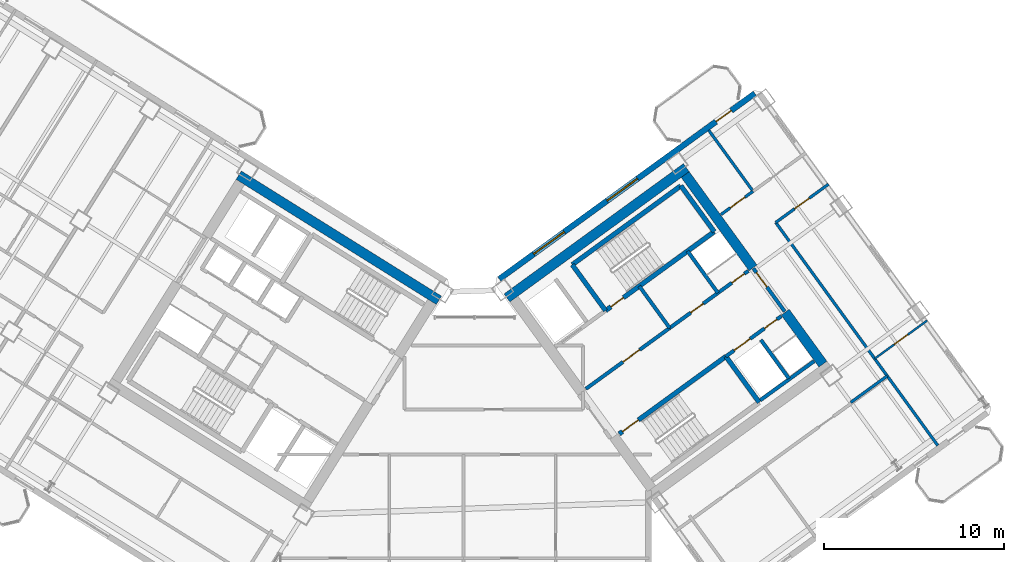
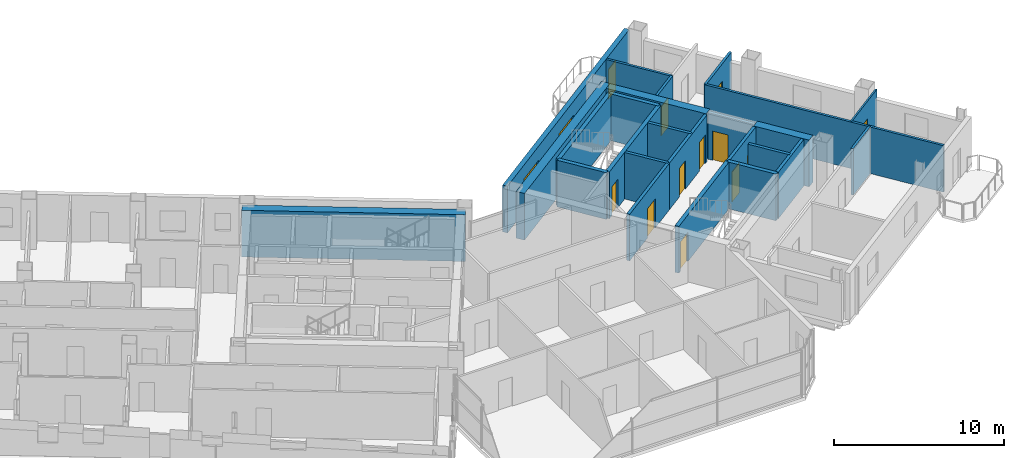
# One storey, part 20 of 25: 25 walls, 12 doors, 2 windows, 14 openings.
"""IFC4 building model written with IfcOpenShell, lengths in metres."""

import ifcopenshell
import ifcopenshell.guid

model = None  # the IFC model being written
_history = None  # IfcOwnerHistory: only IFC2X3 demands one
_inside = {}  # id of a spatial element -> (the spatial element, [elements in it])
_under = {}  # id of a project, library or spatial element -> (it, [spatial elements below it])
_declared = {}  # id of a project -> (the project, [libraries it declares])
_typed = {}  # id of a type object -> (the type object, [elements of that type])
_made_of = {}  # id of a material, layer set ... -> (it, [elements and type objects made of it])


def new_model(schema):
    """Start an empty IFC model of exactly this schema.

    Asked for "IFC4X3", IfcOpenShell would pick the latest addendum, in which some entities
    have other attributes; the version numbers below select the first issue.
    IFC2X3 requires an IfcOwnerHistory on every rooted entity: one is made here for all.
    """
    global model, _history
    if schema == "IFC4X3":
        model = ifcopenshell.file(schema_version=(4, 3, 0, 0))
    else:
        model = ifcopenshell.file(schema=schema)
    _inside.clear()
    _under.clear()
    _declared.clear()
    _typed.clear()
    _made_of.clear()
    _history = None
    if model.schema == "IFC2X3":
        org = make("IfcOrganization", Name="unknown")
        user = make(
            "IfcPersonAndOrganization",
            ThePerson=make("IfcPerson", FamilyName="unknown"),
            TheOrganization=org,
        )
        app = make(
            "IfcApplication",
            ApplicationDeveloper=org,
            Version="unknown",
            ApplicationFullName="unknown",
            ApplicationIdentifier="unknown",
        )
        _history = make(
            "IfcOwnerHistory",
            OwningUser=user,
            OwningApplication=app,
            ChangeAction="ADDED",
            CreationDate=0,
        )
    return model


def make(cls, **values):
    """One entity of the class cls with the attributes given. An attribute that is None is left unset."""
    return model.create_entity(
        cls, **{name: value for name, value in values.items() if value is not None}
    )


def rooted(cls, **values):
    """An entity with a GlobalId (a new one), such as an element, a storey or a relation."""
    return make(cls, GlobalId=ifcopenshell.guid.new(), OwnerHistory=_history, **values)


def si_unit(unit_type, name, prefix=None):
    """IfcSIUnit, for example si_unit("LENGTHUNIT", "METRE", prefix="MILLI")."""
    return make("IfcSIUnit", UnitType=unit_type, Prefix=prefix, Name=name)


def assignment(units):
    """IfcUnitAssignment: the units of a project."""
    return None if units is None else make("IfcUnitAssignment", Units=units)


def point(xyz):
    """IfcCartesianPoint."""
    return None if xyz is None else make("IfcCartesianPoint", Coordinates=xyz)


def direction(xyz):
    """IfcDirection."""
    return None if xyz is None else make("IfcDirection", DirectionRatios=xyz)


def frame(location, z_axis=None, x_axis=None):
    """IfcAxis2Placement3D, a coordinate frame: its origin and axes. An axis left out is left unset."""
    return make(
        "IfcAxis2Placement3D",
        Location=point(location),
        Axis=direction(z_axis),
        RefDirection=direction(x_axis),
    )


def frame_2d(location, x_axis=None):
    """IfcAxis2Placement2D, a coordinate frame in the plane: its origin and x axis."""
    return make(
        "IfcAxis2Placement2D", Location=point(location), RefDirection=direction(x_axis)
    )


def origin():
    """The frame at (0, 0, 0) with its axes left unset."""
    return frame((0.0, 0.0, 0.0))


def place(relative_to, where):
    """IfcLocalPlacement: puts the frame where relative to a parent placement (None: the world)."""
    return make(
        "IfcLocalPlacement", PlacementRelTo=relative_to, RelativePlacement=where
    )


def context(
    kind, dimensions, precision=None, world=None, true_north=None, identifier=None
):
    """IfcGeometricRepresentationContext, for example the 3D "Model" context."""
    return make(
        "IfcGeometricRepresentationContext",
        ContextIdentifier=identifier,
        ContextType=kind,
        CoordinateSpaceDimension=dimensions,
        Precision=precision,
        WorldCoordinateSystem=world,
        TrueNorth=true_north,
    )


def subcontext(parent, identifier, kind, view, scale=None):
    """IfcGeometricRepresentationSubContext, for example "Body" below "Model"."""
    return make(
        "IfcGeometricRepresentationSubContext",
        ContextIdentifier=identifier,
        ContextType=kind,
        ParentContext=parent,
        TargetScale=scale,
        TargetView=view,
    )


def project(units=None, contexts=None):
    """IfcProject with its units and contexts."""
    return rooted(
        "IfcProject",
        Name="project",
        RepresentationContexts=contexts,
        UnitsInContext=assignment(units),
    )


def spatial(cls, under=None, at=None, **own):
    """A site, building, storey or space (cls), placed at a placement, below another one or the project."""
    s = rooted(cls, ObjectPlacement=at, **own)
    if under is not None:
        _under.setdefault(under.id(), (under, []))[1].append(s)
    return s


def profile(cls, at=None, kind="AREA", **sizes):
    """A parametric profile (cls). Its sizes go by their IFC names, for example OverallWidth=200.0."""
    return make(cls, ProfileType=kind, Position=at, **sizes)


def rectangle(**sizes):
    """IfcRectangleProfileDef."""
    return profile("IfcRectangleProfileDef", **sizes)


def extrude(swept, where, along, depth):
    """IfcExtrudedAreaSolid: the profile swept, set in the frame where, extruded along a direction by depth."""
    return make(
        "IfcExtrudedAreaSolid",
        SweptArea=swept,
        Position=where,
        ExtrudedDirection=direction(along),
        Depth=depth,
    )


def shape(context_of_items, identifier, shape_type, items):
    """IfcShapeRepresentation: the items that make up one representation, for example the "Body"."""
    return make(
        "IfcShapeRepresentation",
        ContextOfItems=context_of_items,
        RepresentationIdentifier=identifier,
        RepresentationType=shape_type,
        Items=items,
    )


def source(mapping_origin, context_of_items, identifier, shape_type, items):
    """IfcRepresentationMap: a shape defined once, which mapped items show again and again."""
    return make(
        "IfcRepresentationMap",
        MappingOrigin=mapping_origin,
        MappedRepresentation=shape(context_of_items, identifier, shape_type, items),
    )


def transform(
    local_origin,
    x_axis=None,
    y_axis=None,
    z_axis=None,
    scale=None,
    scale2=None,
    scale3=None,
    uniform=True,
):
    """IfcCartesianTransformationOperator3D, or its non-uniform kind. x_axis, y_axis, z_axis: its Axis1, 2, 3."""
    if uniform:
        return make(
            "IfcCartesianTransformationOperator3D",
            Axis1=direction(x_axis),
            Axis2=direction(y_axis),
            LocalOrigin=point(local_origin),
            Scale=scale,
            Axis3=direction(z_axis),
        )
    return make(
        "IfcCartesianTransformationOperator3DnonUniform",
        Axis1=direction(x_axis),
        Axis2=direction(y_axis),
        LocalOrigin=point(local_origin),
        Scale=scale,
        Axis3=direction(z_axis),
        Scale2=scale2,
        Scale3=scale3,
    )


def mapped(mapping_source, mapping_target):
    """IfcMappedItem: shows the shape of a source again, moved by a transform."""
    return make(
        "IfcMappedItem", MappingSource=mapping_source, MappingTarget=mapping_target
    )


def material(Name=None, Category=None):
    """IfcMaterial."""
    return make("IfcMaterial", Name=Name, Category=Category)


def layer(
    of_material, thickness, ventilated=None, Name=None, Category=None, Priority=None
):
    """IfcMaterialLayer: one layer of a wall or slab, of a material (None: an air gap)."""
    return make(
        "IfcMaterialLayer",
        Material=of_material,
        LayerThickness=thickness,
        IsVentilated=ventilated,
        Name=Name,
        Category=Category,
        Priority=Priority,
    )


def layer_set(layers, Name=None):
    """IfcMaterialLayerSet."""
    return make("IfcMaterialLayerSet", MaterialLayers=layers, LayerSetName=Name)


def made_of(thing, what):
    """Note that an element or type object is made of a material, layer set ...; save() writes the relation."""
    if what is not None:
        _made_of.setdefault(what.id(), (what, []))[1].append(thing)
    return thing


def type_object(cls, material=None, **own):
    """A type object (cls), such as IfcWallType, which elements share."""
    return made_of(rooted(cls, **own), material)


def element(
    cls,
    number,
    at=None,
    inside=None,
    cuts=None,
    type_object=None,
    material=None,
    context=None,
    identifier="Body",
    shape_type=None,
    held_by="IfcProductDefinitionShape",
    body=None,
    shapes=None,
    **own,
):
    """One element of the class cls, such as IfcWall. Its Tag is "e" and its number.

    at: its placement. inside: the storey or other place that contains it. cuts: it is an
    opening in that element (IfcRelVoidsElement). A single representation is given by context,
    identifier, shape_type and body (its items); several are given by shapes. held_by: the class
    of the entity that holds the representations. save() writes the other relations.
    """
    e = rooted(cls, Tag="e%d" % number, ObjectPlacement=at, **own)
    if body is not None:
        shapes = [shape(context, identifier, shape_type, body)]
    if shapes is not None:
        e.Representation = make(held_by, Representations=shapes)
    if inside is not None:
        _inside.setdefault(inside.id(), (inside, []))[1].append(e)
    if cuts is not None:
        rooted(
            "IfcRelVoidsElement", RelatingBuildingElement=cuts, RelatedOpeningElement=e
        )
    if type_object is not None:
        _typed.setdefault(type_object.id(), (type_object, []))[1].append(e)
    return made_of(e, material)


def fill(opening, filler):
    """IfcRelFillsElement: the door or window that sits in an opening."""
    return rooted(
        "IfcRelFillsElement",
        RelatingOpeningElement=opening,
        RelatedBuildingElement=filler,
    )


def aggregate(whole, parts):
    """IfcRelAggregates: a whole, such as a stair, and the parts it consists of."""
    return rooted("IfcRelAggregates", RelatingObject=whole, RelatedObjects=parts)


def save(model, path):
    """Write the relations noted so far, then the file.

    IfcRelAggregates (storeys below a building ...), IfcRelContainedInSpatialStructure (elements
    in a storey), IfcRelDefinesByType, IfcRelAssociatesMaterial and IfcRelDeclares: one each for
    every whole, place, type object, material and project.
    """
    for whole, parts in _under.values():
        aggregate(whole, parts)
    for where, things in _inside.values():
        rooted(
            "IfcRelContainedInSpatialStructure",
            RelatedElements=things,
            RelatingStructure=where,
        )
    for kind, things in _typed.values():
        rooted("IfcRelDefinesByType", RelatedObjects=things, RelatingType=kind)
    for what, things in _made_of.values():
        rooted("IfcRelAssociatesMaterial", RelatedObjects=things, RelatingMaterial=what)
    for by, libraries in _declared.values():
        rooted("IfcRelDeclares", RelatingContext=by, RelatedDefinitions=libraries)
    model.write(path)


model = new_model("IFC4")

# Units and contexts
model_context = context("Model", 3, precision=1e-05, world=origin(), true_north=direction((0.0, 1.0)))
body_context = subcontext(model_context, "Body", "Model", "MODEL_VIEW")
ifc_project = project(units=[si_unit("LENGTHUNIT", "METRE"), si_unit("AREAUNIT", "SQUARE_METRE"), si_unit("VOLUMEUNIT", "CUBIC_METRE"), si_unit("PLANEANGLEUNIT", "RADIAN"), si_unit("MASSUNIT", "GRAM", prefix="KILO")], contexts=[model_context])

# Site, building, storey
site_placement = place(None, origin())
site = spatial("IfcSite", under=ifc_project, at=site_placement, CompositionType="ELEMENT")
building_placement = place(site_placement, origin())
building = spatial("IfcBuilding", under=site, at=building_placement, Name="Tlacorven Tower", CompositionType="ELEMENT")
storey_placement = place(building_placement, frame((0.0, 0.0, 155.10009765625)))
storey = spatial("IfcBuildingStorey", under=building, at=storey_placement, Name="L39", CompositionType="ELEMENT", Elevation=155.10009765625)

# Walls
ifc_material_1 = material(Name="Concrete C60/75", Category="concrete")
ifc_layer_1 = layer(ifc_material_1, 0.550048828125)
ifc_layer_set_1 = layer_set([ifc_layer_1], Name="Concrete C60/75")
wall_type_1 = type_object("IfcWallType", Name="WL-COR-550", PredefinedType="SHEAR", material=ifc_layer_set_1)
wall_1_placement = place(storey_placement, frame((40.572998046875, 24.010009765625, 0.0), z_axis=(0.0, 0.0, 1.0), x_axis=(-0.848047359947, 0.529920442413, 0.0)))
element("IfcWall", 1, at=wall_1_placement, inside=storey, type_object=wall_type_1, Name="L39 W core shear wall S1", PredefinedType="SHEAR", context=body_context, shape_type="SweptSolid", body=[
    extrude(rectangle(XDim=13.139892578125, YDim=0.550048828125, at=frame_2d((6.56982421875, 0.0))), origin(), (0.0, 0.0, 1.0), 3.349853515625),
])
wall_2_placement = place(storey_placement, frame((44.364990234375, 24.142333984375, 0.0), z_axis=(0.0, 0.0, 1.0), x_axis=(0.809024304885, 0.587775190107, 0.0)))
element("IfcWall", 2, at=wall_2_placement, inside=storey, type_object=wall_type_1, Name="L39 E core shear wall S2", PredefinedType="SHEAR", context=body_context, shape_type="SweptSolid", body=[
    extrude(rectangle(XDim=12.340087890625, YDim=0.550048828125, at=frame_2d((6.169921875, 0.0))), origin(), (0.0, 0.0, 1.0), 3.349853515625),
])
wall_3_placement = place(storey_placement, frame((61.9580078125, 20.453857421875, 0.0), z_axis=(0.0, 0.0, 1.0), x_axis=(-0.587802113096, 0.809004744015, 0.0)))
element("IfcWall", 3, at=wall_3_placement, inside=storey, type_object=wall_type_1, Name="L39 E core end wall E2.1", PredefinedType="SHEAR", context=body_context, shape_type="SweptSolid", body=[
    extrude(rectangle(XDim=3.574951171875, YDim=0.550048828125, at=frame_2d((1.78759765625, 0.0))), origin(), (0.0, 0.0, 1.0), 3.349853515625),
])
wall_4_placement = place(storey_placement, frame((58.06396484375, 25.8134765625, 0.0), z_axis=(0.0, 0.0, 1.0), x_axis=(-0.587764933797, 0.809031756236, 0.0)))
element("IfcWall", 4, at=wall_4_placement, inside=storey, type_object=wall_type_1, Name="L39 E core end wall E2.2", PredefinedType="SHEAR", context=body_context, shape_type="SweptSolid", body=[
    extrude(rectangle(XDim=6.425048828125, YDim=0.550048828125, at=frame_2d((3.21240234375, 0.0))), origin(), (0.0, 0.0, 1.0), 3.349853515625),
])
ifc_material_2 = material(Name="Gypsum plasterboard acoustic partition", Category="gypsum")
ifc_layer_2 = layer(ifc_material_2, 0.159912109375)
ifc_layer_set_2 = layer_set([ifc_layer_2], Name="Gypsum plasterboard acoustic partition")
wall_type_2 = type_object("IfcWallType", Name="WL-DEM-160", PredefinedType="PARTITIONING", material=ifc_layer_set_2)
wall_5_placement = place(storey_placement, frame((63.5068359375, 18.322021484375, 0.0), z_axis=(0.0, 0.0, 1.0), x_axis=(0.809034604122, 0.587761013791, 0.0)))
element("IfcWall", 5, at=wall_5_placement, inside=storey, type_object=wall_type_2, Name="L39 partition 90", PredefinedType="PARTITIONING", context=body_context, shape_type="SweptSolid", body=[
    extrude(rectangle(XDim=2.510009765625, YDim=0.159912109375, at=frame_2d((1.2548828125, 0.0))), origin(), (0.0, 0.0, 1.0), 3.33984375),
])

# Wall, opening, door
wall_6_placement = place(storey_placement, frame((56.280517578125, 28.7822265625, 0.0), z_axis=(0.0, 0.0, 1.0), x_axis=(0.80902286611, 0.587777170458, 0.0)))
wall_6 = element("IfcWall", 6, at=wall_6_placement, inside=storey, type_object=wall_type_2, Name="L39 partition 91", PredefinedType="PARTITIONING", context=body_context, shape_type="SweptSolid", body=[
    extrude(rectangle(XDim=2.2080078125, YDim=0.159912109375, at=frame_2d((1.10400390625, 0.0))), origin(), (0.0, 0.0, 1.0), 3.33984375),
])
opening_1_placement = place(wall_6_placement, frame((0.64794921875, 0.0, 0.0)))
opening_1 = element("IfcOpeningElement", 7, at=opening_1_placement, cuts=wall_6, Name="Opening D11", PredefinedType="OPENING", context=body_context, shape_type="SweptSolid", body=[
    extrude(rectangle(XDim=1.0, YDim=2.10009765625, at=frame_2d((0.5, 1.050048828125))), frame((0.0, 0.08984375, 0.0), z_axis=(0.0, -1.0, 0.0), x_axis=(1.0, 0.0, 0.0)), (0.0, 0.0, 1.0), 0.179931640625),
])
ifc_material_3 = material(Name="Fire-rated steel door assembly", Category="steel")
door_type_1 = type_object("IfcDoorType", Name="DR-FLT-FD60-1000", OperationType="NOTDEFINED", PredefinedType="DOOR", material=ifc_material_3)
shared_shape_1 = source(origin(), body_context, "Body", "SweptSolid", [
    extrude(rectangle(XDim=1.0, YDim=2.10009765625, at=frame_2d((0.5, 1.050048828125))), frame((0.0, 0.02490234375, 0.0), z_axis=(0.0, -1.0, 0.0), x_axis=(1.0, 0.0, 0.0)), (0.0, 0.0, 1.0), 0.050048828125),
])
door_1_placement = place(opening_1_placement, origin())
door_1 = element("IfcDoor", 8, at=door_1_placement, inside=storey, type_object=door_type_1, Name="L39 door 059", OperationType="SINGLE_SWING_LEFT", OverallHeight=2.10009765625, OverallWidth=1.0, PredefinedType="DOOR", context=body_context, shape_type="MappedRepresentation", body=[
    mapped(shared_shape_1, transform((0.0, 0.0, 0.0), scale=1.0)),
])
fill(opening_1, door_1)

# Walls
wall_7_placement = place(storey_placement, frame((68.35302734375, 15.922119140625, 0.0), z_axis=(0.0, 0.0, 1.0), x_axis=(-0.587782002009, 0.809019355834, 0.0)))
element("IfcWall", 9, at=wall_7_placement, inside=storey, type_object=wall_type_2, Name="L39 partition 92", PredefinedType="PARTITIONING", context=body_context, shape_type="SweptSolid", body=[
    extrude(rectangle(XDim=15.35009765625, YDim=0.159912109375, at=frame_2d((7.675048828125, 0.0))), origin(), (0.0, 0.0, 1.0), 3.33984375),
])
wall_8_placement = place(storey_placement, frame((58.06689453125, 30.080078125, 0.0), z_axis=(0.0, 0.0, 1.0), x_axis=(-0.587812175236, 0.808997433027, 0.0)))
element("IfcWall", 10, at=wall_8_placement, inside=storey, type_object=wall_type_2, Name="L39 partition 93", PredefinedType="PARTITIONING", context=body_context, shape_type="SweptSolid", body=[
    extrude(rectangle(XDim=4.199951171875, YDim=0.159912109375, at=frame_2d((2.10009765625, 0.0))), origin(), (0.0, 0.0, 1.0), 3.33984375),
])

# Wall, opening, door
wall_9_placement = place(storey_placement, frame((59.33056640625, 28.340576171875, 0.0), z_axis=(0.0, 0.0, 1.0), x_axis=(0.809003564202, 0.587803736896, 0.0)))
wall_9 = element("IfcWall", 11, at=wall_9_placement, inside=storey, type_object=wall_type_2, Name="L39 partition 95", PredefinedType="PARTITIONING", context=body_context, shape_type="SweptSolid", body=[
    extrude(rectangle(XDim=3.630126953125, YDim=0.159912109375, at=frame_2d((1.81494140625, 0.0))), origin(), (0.0, 0.0, 1.0), 3.33984375),
])
opening_2_placement = place(wall_9_placement, frame((1.304931640625, 0.0, 0.0)))
opening_2 = element("IfcOpeningElement", 12, at=opening_2_placement, cuts=wall_9, Name="Opening D11", PredefinedType="OPENING", context=body_context, shape_type="SweptSolid", body=[
    extrude(rectangle(XDim=1.0, YDim=2.10009765625, at=frame_2d((0.5, 1.050048828125))), frame((0.0, 0.08984375, 0.0), z_axis=(0.0, -1.0, 0.0), x_axis=(1.0, 0.0, 0.0)), (0.0, 0.0, 1.0), 0.179931640625),
])
door_2_placement = place(opening_2_placement, origin())
door_2 = element("IfcDoor", 13, at=door_2_placement, inside=storey, type_object=door_type_1, Name="L39 door 062", OperationType="SINGLE_SWING_RIGHT", OverallHeight=2.10009765625, OverallWidth=1.0, PredefinedType="DOOR", context=body_context, shape_type="MappedRepresentation", body=[
    mapped(shared_shape_1, transform((0.0, 0.0, 0.0), scale=1.0)),
])
fill(opening_2, door_2)

# Wall, openings, door, windows
ifc_material_4 = material(Name="Precast concrete C45/55", Category="concrete")
ifc_layer_3 = layer(ifc_material_4, 0.320068359375)
ifc_layer_set_3 = layer_set([ifc_layer_3], Name="Precast concrete C45/55")
wall_type_3 = type_object("IfcWallType", Name="WL-EXT-320", PredefinedType="STANDARD", material=ifc_layer_set_3)
wall_10_placement = place(storey_placement, frame((43.93798828125, 25.191650390625, 0.0), z_axis=(0.0, 0.0, 1.0), x_axis=(0.809016324578, 0.587786174187, 0.0)))
wall_10 = element("IfcWall", 14, at=wall_10_placement, inside=storey, type_object=wall_type_3, Name="L39 Masonry-Frame Recessed Facade Wall 4", PredefinedType="STANDARD", context=body_context, shape_type="SweptSolid", body=[
    extrude(rectangle(XDim=17.58740234375, YDim=0.320068359375, at=frame_2d((8.793701171875, 0.0))), origin(), (0.0, 0.0, 1.0), 3.349853515625),
])
opening_3_placement = place(wall_10_placement, frame((14.913818359375, 0.0, 0.0)))
opening_3 = element("IfcOpeningElement", 15, at=opening_3_placement, cuts=wall_10, Name="Opening D06", PredefinedType="OPENING", context=body_context, shape_type="SweptSolid", body=[
    extrude(rectangle(XDim=1.050048828125, YDim=2.14990234375, at=frame_2d((0.52490234375, 1.074951171875))), frame((0.0, 0.169921875, 0.0), z_axis=(0.0, -1.0, 0.0), x_axis=(1.0, 0.0, 0.0)), (0.0, 0.0, 1.0), 0.340087890625),
])
opening_4_placement = place(wall_10_placement, frame((2.368408203125, 0.0, 0.800048828125)))
opening_4 = element("IfcOpeningElement", 16, at=opening_4_placement, cuts=wall_10, Name="Opening WN04", PredefinedType="OPENING", context=body_context, shape_type="SweptSolid", body=[
    extrude(rectangle(XDim=2.10009765625, YDim=1.550048828125, at=frame_2d((1.050048828125, 0.77490234375))), frame((0.0, 0.169921875, 0.0), z_axis=(0.0, -1.0, 0.0), x_axis=(1.0, 0.0, 0.0)), (0.0, 0.0, 1.0), 0.340087890625),
])
opening_5_placement = place(wall_10_placement, frame((7.418701171875, 0.0, 0.800048828125)))
opening_5 = element("IfcOpeningElement", 17, at=opening_5_placement, cuts=wall_10, Name="Opening WN04", PredefinedType="OPENING", context=body_context, shape_type="SweptSolid", body=[
    extrude(rectangle(XDim=2.10009765625, YDim=1.550048828125, at=frame_2d((1.050048828125, 0.77490234375))), frame((0.0, 0.169921875, 0.0), z_axis=(0.0, -1.0, 0.0), x_axis=(1.0, 0.0, 0.0)), (0.0, 0.0, 1.0), 0.340087890625),
])
ifc_material_5 = material(Name="Powder-coated aluminium and timber door", Category="wood")
door_type_2 = type_object("IfcDoorType", Name="DR-EXT-BALC-1050", OperationType="NOTDEFINED", PredefinedType="DOOR", material=ifc_material_5)
shared_shape_2 = source(origin(), body_context, "Body", "SweptSolid", [
    extrude(rectangle(XDim=1.050048828125, YDim=2.14990234375, at=frame_2d((0.52490234375, 1.074951171875))), frame((0.0, 0.02490234375, 0.0), z_axis=(0.0, -1.0, 0.0), x_axis=(1.0, 0.0, 0.0)), (0.0, 0.0, 1.0), 0.050048828125),
])
door_3_placement = place(opening_3_placement, origin())
door_3 = element("IfcDoor", 18, at=door_3_placement, inside=storey, type_object=door_type_2, Name="L39 Outdoor Access Door BAL-L39-E-IN", OperationType="SINGLE_SWING_RIGHT", OverallHeight=2.14990234375, OverallWidth=1.050048828125, PredefinedType="DOOR", context=body_context, shape_type="MappedRepresentation", body=[
    mapped(shared_shape_2, transform((0.0, 0.0, 0.0), scale=1.0)),
])
fill(opening_3, door_3)
ifc_material_6 = material(Name="Dark solar low-E double glazing in anodised aluminium frame", Category="aluminium")
window_type = type_object("IfcWindowType", Name="WN-APT-2100X1750", PartitioningType="SINGLE_PANEL", PredefinedType="WINDOW", material=ifc_material_6)
shared_shape_3 = source(origin(), body_context, "Body", "SweptSolid", [
    extrude(rectangle(XDim=2.10009765625, YDim=1.550048828125, at=frame_2d((1.050048828125, 0.77490234375))), frame((0.0, 0.030029296875, 0.0), z_axis=(0.0, -1.0, 0.0), x_axis=(1.0, 0.0, 0.0)), (0.0, 0.0, 1.0), 0.06005859375),
])
window_1_placement = place(opening_4_placement, origin())
window_1 = element("IfcWindow", 19, at=window_1_placement, inside=storey, type_object=window_type, Name="L39 Recessed Masonry-Frame Window L39-04.1", OverallHeight=1.550048828125, OverallWidth=2.10009765625, PartitioningType="SINGLE_PANEL", PredefinedType="WINDOW", context=body_context, shape_type="MappedRepresentation", body=[
    mapped(shared_shape_3, transform((0.0, 0.0, 0.0), scale=1.0)),
])
fill(opening_4, window_1)
window_2_placement = place(opening_5_placement, origin())
window_2 = element("IfcWindow", 20, at=window_2_placement, inside=storey, type_object=window_type, Name="L39 Recessed Masonry-Frame Window L39-04.2", OverallHeight=1.550048828125, OverallWidth=2.10009765625, PartitioningType="SINGLE_PANEL", PredefinedType="WINDOW", context=body_context, shape_type="MappedRepresentation", body=[
    mapped(shared_shape_3, transform((0.0, 0.0, 0.0), scale=1.0)),
])
fill(opening_5, window_2)

# Wall, opening, door
ifc_material_7 = material(Name="Gypsum plasterboard partition", Category="gypsum")
ifc_layer_4 = layer(ifc_material_7, 0.110107421875)
ifc_layer_set_4 = layer_set([ifc_layer_4], Name="Gypsum plasterboard partition")
wall_type_4 = type_object("IfcWallType", Name="WL-INT-110", PredefinedType="PARTITIONING", material=ifc_layer_set_4)
wall_11_placement = place(storey_placement, frame((64.83935546875, 20.758544921875, 0.0), z_axis=(0.0, 0.0, 1.0), x_axis=(0.809013833588, 0.587789602718, 0.0)))
wall_11 = element("IfcWall", 21, at=wall_11_placement, inside=storey, type_object=wall_type_4, Name="L39 partition 97", PredefinedType="PARTITIONING", context=body_context, shape_type="SweptSolid", body=[
    extrude(rectangle(XDim=3.60986328125, YDim=0.110107421875, at=frame_2d((1.804931640625, 0.0))), origin(), (0.0, 0.0, 1.0), 3.33984375),
])
opening_6_placement = place(wall_11_placement, frame((1.344970703125, 0.0, 0.0)))
opening_6 = element("IfcOpeningElement", 22, at=opening_6_placement, cuts=wall_11, Name="Opening D12", PredefinedType="OPENING", context=body_context, shape_type="SweptSolid", body=[
    extrude(rectangle(XDim=0.919921875, YDim=2.080078125, at=frame_2d((0.4599609375, 1.0400390625))), frame((0.0, 0.06494140625, 0.0), z_axis=(0.0, -1.0, 0.0), x_axis=(1.0, 0.0, 0.0)), (0.0, 0.0, 1.0), 0.130126953125),
])
door_type_3 = type_object("IfcDoorType", Name="DR-INT-ROOM-0920", OperationType="NOTDEFINED", PredefinedType="DOOR", material=ifc_material_5)
shared_shape_4 = source(origin(), body_context, "Body", "SweptSolid", [
    extrude(rectangle(XDim=0.919921875, YDim=2.080078125, at=frame_2d((0.4599609375, 1.0400390625))), frame((0.0, 0.02490234375, 0.0), z_axis=(0.0, -1.0, 0.0), x_axis=(1.0, 0.0, 0.0)), (0.0, 0.0, 1.0), 0.050048828125),
])
door_4_placement = place(opening_6_placement, origin())
door_4 = element("IfcDoor", 23, at=door_4_placement, inside=storey, type_object=door_type_3, Name="L39 door 063", OperationType="SINGLE_SWING_LEFT", OverallHeight=2.080078125, OverallWidth=0.919921875, PredefinedType="DOOR", context=body_context, shape_type="MappedRepresentation", body=[
    mapped(shared_shape_4, transform((0.0, 0.0, 0.0), scale=1.0)),
])
fill(opening_6, door_4)

ifc_material_8 = material(Name="Concrete C40/50", Category="concrete")
ifc_layer_5 = layer(ifc_material_8, 0.199951171875)
ifc_layer_set_5 = layer_set([ifc_layer_5], Name="Concrete C40/50")
wall_type_5 = type_object("IfcWallType", Name="WL-SHF-200", PredefinedType="STANDARD", material=ifc_layer_set_5)
wall_12_placement = place(storey_placement, frame((48.75830078125, 19.0771484375, 0.0), z_axis=(0.0, 0.0, 1.0), x_axis=(0.809005065155, 0.587801671104, 0.0)))
wall_12 = element("IfcWall", 24, at=wall_12_placement, inside=storey, type_object=wall_type_5, Name="L39 Core E Smoke Lobby Wall", PredefinedType="STANDARD", context=body_context, shape_type="SweptSolid", body=[
    extrude(rectangle(XDim=5.767822265625, YDim=0.199951171875, at=frame_2d((2.8837890625, 0.0))), origin(), (0.0, 0.0, 1.0), 3.33984375),
])
opening_7_placement = place(wall_12_placement, frame((2.548095703125, 0.0, 0.0)))
opening_7 = element("IfcOpeningElement", 25, at=opening_7_placement, cuts=wall_12, Name="Opening D09", PredefinedType="OPENING", context=body_context, shape_type="SweptSolid", body=[
    extrude(rectangle(XDim=1.14990234375, YDim=2.10009765625, at=frame_2d((0.574951171875, 1.050048828125))), frame((0.0, 0.10986328125, 0.0), z_axis=(0.0, -1.0, 0.0), x_axis=(1.0, 0.0, 0.0)), (0.0, 0.0, 1.0), 0.219970703125),
])
door_type_4 = type_object("IfcDoorType", Name="DR-FFL-FD60-1150", OperationType="NOTDEFINED", PredefinedType="DOOR", material=ifc_material_3)
shared_shape_5 = source(origin(), body_context, "Body", "SweptSolid", [
    extrude(rectangle(XDim=1.14990234375, YDim=2.10009765625, at=frame_2d((0.574951171875, 1.050048828125))), frame((0.0, 0.02490234375, 0.0), z_axis=(0.0, -1.0, 0.0), x_axis=(1.0, 0.0, 0.0)), (0.0, 0.0, 1.0), 0.050048828125),
])
door_5_placement = place(opening_7_placement, origin())
door_5 = element("IfcDoor", 26, at=door_5_placement, inside=storey, type_object=door_type_4, Name="L39 Firefighting Lobby E Fire Door", OperationType="SINGLE_SWING_LEFT", OverallHeight=2.10009765625, OverallWidth=1.14990234375, PredefinedType="DOOR", context=body_context, shape_type="MappedRepresentation", body=[
    mapped(shared_shape_5, transform((0.0, 0.0, 0.0), scale=1.0)),
])
fill(opening_7, door_5)

# Wall, openings, doors
wall_13_placement = place(storey_placement, frame((56.552978515625, 20.884033203125, 0.0), z_axis=(0.0, 0.0, 1.0), x_axis=(0.809023564264, 0.58777620951, 0.0)))
wall_13 = element("IfcWall", 27, at=wall_13_placement, inside=storey, type_object=wall_type_5, Name="L39 Core E South Lift Shaft Wall", PredefinedType="STANDARD", context=body_context, shape_type="SweptSolid", body=[
    extrude(rectangle(XDim=3.818115234375, YDim=0.199951171875, at=frame_2d((1.9091796875, 0.0))), origin(), (0.0, 0.0, 1.0), 3.33984375),
])
opening_8_placement = place(wall_13_placement, frame((0.570068359375, 0.0, 0.0)))
opening_8 = element("IfcOpeningElement", 28, at=opening_8_placement, cuts=wall_13, Name="Opening LD01", PredefinedType="OPENING", context=body_context, shape_type="SweptSolid", body=[
    extrude(rectangle(XDim=1.10009765625, YDim=2.14990234375, at=frame_2d((0.550048828125, 1.074951171875))), frame((0.0, 0.10986328125, 0.0), z_axis=(0.0, -1.0, 0.0), x_axis=(1.0, 0.0, 0.0)), (0.0, 0.0, 1.0), 0.219970703125),
])
opening_9_placement = place(wall_13_placement, frame((2.64990234375, 0.0, 0.0)))
opening_9 = element("IfcOpeningElement", 29, at=opening_9_placement, cuts=wall_13, Name="Opening D19", PredefinedType="OPENING", context=body_context, shape_type="SweptSolid", body=[
    extrude(rectangle(XDim=0.860107421875, YDim=2.050048828125, at=frame_2d((0.43017578125, 1.02490234375))), frame((0.0, 0.10986328125, 0.0), z_axis=(0.0, -1.0, 0.0), x_axis=(1.0, 0.0, 0.0)), (0.0, 0.0, 1.0), 0.219970703125),
])
door_type_5 = type_object("IfcDoorType", Name="DR-RSR-FD60-0860", OperationType="NOTDEFINED", PredefinedType="DOOR", material=ifc_material_3)
shared_shape_6 = source(origin(), body_context, "Body", "SweptSolid", [
    extrude(rectangle(XDim=0.860107421875, YDim=2.050048828125, at=frame_2d((0.43017578125, 1.02490234375))), frame((0.0, 0.02490234375, 0.0), z_axis=(0.0, -1.0, 0.0), x_axis=(1.0, 0.0, 0.0)), (0.0, 0.0, 1.0), 0.050048828125),
])
door_6_placement = place(opening_9_placement, origin())
door_6 = element("IfcDoor", 30, at=door_6_placement, inside=storey, type_object=door_type_5, Name="L39 Smoke Extract Riser Access Door", OperationType="SINGLE_SWING_RIGHT", OverallHeight=2.050048828125, OverallWidth=0.860107421875, PredefinedType="DOOR", context=body_context, shape_type="MappedRepresentation", body=[
    mapped(shared_shape_6, transform((0.0, 0.0, 0.0), scale=1.0)),
])
fill(opening_9, door_6)
door_type_6 = type_object("IfcDoorType", Name="DR-LFT-SLID-1100", OperationType="DOUBLE_DOOR_SLIDING", PredefinedType="DOOR", material=ifc_material_3)
shared_shape_7 = source(origin(), body_context, "Body", "SweptSolid", [
    extrude(rectangle(XDim=1.10009765625, YDim=2.14990234375, at=frame_2d((0.550048828125, 1.074951171875))), frame((0.0, 0.02490234375, 0.0), z_axis=(0.0, -1.0, 0.0), x_axis=(1.0, 0.0, 0.0)), (0.0, 0.0, 1.0), 0.050048828125),
])
door_7_placement = place(opening_8_placement, origin())
door_7 = element("IfcDoor", 31, at=door_7_placement, inside=storey, type_object=door_type_6, Name="L39 Lift PL-M4 Sliding Landing Door", OperationType="DOUBLE_DOOR_SLIDING", OverallHeight=2.14990234375, OverallWidth=1.10009765625, PredefinedType="DOOR", context=body_context, shape_type="MappedRepresentation", body=[
    mapped(shared_shape_7, transform((0.0, 0.0, 0.0), scale=1.0)),
])
fill(opening_8, door_7)

# Walls
wall_14_placement = place(storey_placement, frame((60.066650390625, 19.654541015625, 0.0), z_axis=(0.0, 0.0, 1.0), x_axis=(-0.587800520745, 0.809005900975, 0.0)))
element("IfcWall", 32, at=wall_14_placement, inside=storey, type_object=wall_type_5, Name="L39 partition 37", PredefinedType="STANDARD", context=body_context, shape_type="SweptSolid", body=[
    extrude(rectangle(XDim=2.659912109375, YDim=0.199951171875, at=frame_2d((1.330078125, 0.0))), origin(), (0.0, 0.0, 1.0), 3.33984375),
])
wall_15_placement = place(storey_placement, frame((58.47216796875, 18.446533203125, 0.0), z_axis=(0.0, 0.0, 1.0), x_axis=(0.809018631237, 0.587782999339, 0.0)))
element("IfcWall", 33, at=wall_15_placement, inside=storey, type_object=wall_type_5, Name="L39 partition 39", PredefinedType="STANDARD", context=body_context, shape_type="SweptSolid", body=[
    extrude(rectangle(XDim=3.697998046875, YDim=0.199951171875, at=frame_2d((1.84912109375, 0.0))), origin(), (0.0, 0.0, 1.0), 3.33984375),
])
wall_16_placement = place(storey_placement, frame((53.424560546875, 22.467529296875, 0.0), z_axis=(0.0, 0.0, 1.0), x_axis=(-0.5877230039, 0.809062216821, 0.0)))
element("IfcWall", 34, at=wall_16_placement, inside=storey, type_object=wall_type_5, Name="L39 partition 41", PredefinedType="STANDARD", context=body_context, shape_type="SweptSolid", body=[
    extrude(rectangle(XDim=2.8798828125, YDim=0.199951171875, at=frame_2d((1.43994140625, 0.0))), origin(), (0.0, 0.0, 1.0), 3.33984375),
])
wall_17_placement = place(storey_placement, frame((56.110595703125, 24.4189453125, 0.0), z_axis=(0.0, 0.0, 1.0), x_axis=(-0.58777848983, 0.809021907548, 0.0)))
element("IfcWall", 35, at=wall_17_placement, inside=storey, type_object=wall_type_5, Name="L39 partition 42", PredefinedType="STANDARD", context=body_context, shape_type="SweptSolid", body=[
    extrude(rectangle(XDim=2.880126953125, YDim=0.199951171875, at=frame_2d((1.43994140625, 0.0))), origin(), (0.0, 0.0, 1.0), 3.33984375),
])

# Wall, openings, doors
wall_18_placement = place(storey_placement, frame((53.424560546875, 22.467529296875, 0.0), z_axis=(0.0, 0.0, 1.0), x_axis=(0.809024377198, 0.587775090574, 0.0)))
wall_18 = element("IfcWall", 36, at=wall_18_placement, inside=storey, type_object=wall_type_5, Name="L39 Core E North Service Wall", PredefinedType="STANDARD", context=body_context, shape_type="SweptSolid", body=[
    extrude(rectangle(XDim=5.41796875, YDim=0.199951171875, at=frame_2d((2.708984375, 0.0))), origin(), (0.0, 0.0, 1.0), 3.33984375),
])
opening_10_placement = place(wall_18_placement, frame((4.280029296875, 0.0, 0.0)))
opening_10 = element("IfcOpeningElement", 37, at=opening_10_placement, cuts=wall_18, Name="Opening D19", PredefinedType="OPENING", context=body_context, shape_type="SweptSolid", body=[
    extrude(rectangle(XDim=0.860107421875, YDim=2.050048828125, at=frame_2d((0.43017578125, 1.02490234375))), frame((0.0, 0.10986328125, 0.0), z_axis=(0.0, -1.0, 0.0), x_axis=(1.0, 0.0, 0.0)), (0.0, 0.0, 1.0), 0.219970703125),
])
opening_11_placement = place(wall_18_placement, frame((1.449951171875, 0.0, 0.0)))
opening_11 = element("IfcOpeningElement", 38, at=opening_11_placement, cuts=wall_18, Name="Opening D19", PredefinedType="OPENING", context=body_context, shape_type="SweptSolid", body=[
    extrude(rectangle(XDim=0.860107421875, YDim=2.050048828125, at=frame_2d((0.43017578125, 1.02490234375))), frame((0.0, 0.10986328125, 0.0), z_axis=(0.0, -1.0, 0.0), x_axis=(1.0, 0.0, 0.0)), (0.0, 0.0, 1.0), 0.219970703125),
])
door_8_placement = place(opening_10_placement, frame((0.860107421875, 0.0, 0.0), z_axis=(0.0, 0.0, 1.0), x_axis=(-1.0, 0.0, 0.0)))
door_8 = element("IfcDoor", 39, at=door_8_placement, inside=storey, type_object=door_type_5, Name="L39 Electrical Riser Access Door E", OperationType="SINGLE_SWING_LEFT", OverallHeight=2.050048828125, OverallWidth=0.860107421875, PredefinedType="DOOR", context=body_context, shape_type="MappedRepresentation", body=[
    mapped(shared_shape_6, transform((0.0, 0.0, 0.0), scale=1.0)),
])
fill(opening_10, door_8)
door_9_placement = place(opening_11_placement, frame((0.860107421875, 0.0, 0.0), z_axis=(0.0, 0.0, 1.0), x_axis=(-1.0, 0.0, 0.0)))
door_9 = element("IfcDoor", 40, at=door_9_placement, inside=storey, type_object=door_type_5, Name="L39 Housekeeping Linen Access Door E", OperationType="SINGLE_SWING_RIGHT", OverallHeight=2.050048828125, OverallWidth=0.860107421875, PredefinedType="DOOR", context=body_context, shape_type="MappedRepresentation", body=[
    mapped(shared_shape_6, transform((0.0, 0.0, 0.0), scale=1.0)),
])
fill(opening_11, door_9)

# Wall, opening, door
wall_19_placement = place(storey_placement, frame((59.827392578125, 23.386474609375, 0.0), z_axis=(0.0, 0.0, 1.0), x_axis=(-0.587803840107, 0.809003489211, 0.0)))
wall_19 = element("IfcWall", 41, at=wall_19_placement, inside=storey, type_object=wall_type_5, Name="L39 partition 89", PredefinedType="STANDARD", context=body_context, shape_type="SweptSolid", body=[
    extrude(rectangle(XDim=2.960205078125, YDim=0.199951171875, at=frame_2d((1.47998046875, 0.0))), origin(), (0.0, 0.0, 1.0), 3.33984375),
])
opening_12_placement = place(wall_19_placement, frame((1.679931640625, 0.0, 0.0)))
opening_12 = element("IfcOpeningElement", 42, at=opening_12_placement, cuts=wall_19, Name="Opening D11", PredefinedType="OPENING", context=body_context, shape_type="SweptSolid", body=[
    extrude(rectangle(XDim=1.0, YDim=2.10009765625, at=frame_2d((0.5, 1.050048828125))), frame((0.0, 0.10986328125, 0.0), z_axis=(0.0, -1.0, 0.0), x_axis=(1.0, 0.0, 0.0)), (0.0, 0.0, 1.0), 0.219970703125),
])
door_10_placement = place(opening_12_placement, origin())
door_10 = element("IfcDoor", 43, at=door_10_placement, inside=storey, type_object=door_type_1, Name="L39 door 060", OperationType="SINGLE_SWING_RIGHT", OverallHeight=2.10009765625, OverallWidth=1.0, PredefinedType="DOOR", context=body_context, shape_type="MappedRepresentation", body=[
    mapped(shared_shape_1, transform((0.0, 0.0, 0.0), scale=1.0)),
])
fill(opening_12, door_10)

# Wall
ifc_material_9 = material(Name="Concrete C50/60", Category="concrete")
ifc_layer_6 = layer(ifc_material_9, 0.260009765625)
ifc_layer_set_6 = layer_set([ifc_layer_6], Name="Concrete C50/60")
wall_type_6 = type_object("IfcWallType", Name="WL-STW-260", PredefinedType="SHEAR", material=ifc_layer_set_6)
wall_20_placement = place(storey_placement, frame((48.005615234375, 25.996337890625, 0.0), z_axis=(0.0, 0.0, 1.0), x_axis=(0.80901903764, 0.587782439969, 0.0)))
element("IfcWall", 44, at=wall_20_placement, inside=storey, type_object=wall_type_6, Name="L39 Stair E1 Far Shear Wall", PredefinedType="SHEAR", context=body_context, shape_type="SweptSolid", body=[
    extrude(rectangle(XDim=7.4599609375, YDim=0.260009765625, at=frame_2d((3.72998046875, 0.0))), origin(), (0.0, 0.0, 1.0), 3.349853515625),
])

# Wall, opening, door
wall_21_placement = place(storey_placement, frame((49.863037109375, 23.439697265625, 0.0), z_axis=(0.0, 0.0, 1.0), x_axis=(0.809003474932, 0.587803859759, 0.0)))
wall_21 = element("IfcWall", 45, at=wall_21_placement, inside=storey, type_object=wall_type_6, Name="L39 Stair E1 Lobby Shear Wall", PredefinedType="SHEAR", context=body_context, shape_type="SweptSolid", body=[
    extrude(rectangle(XDim=7.4599609375, YDim=0.260009765625, at=frame_2d((3.72998046875, 0.0))), origin(), (0.0, 0.0, 1.0), 3.349853515625),
])
opening_13_placement = place(wall_21_placement, frame((0.360107421875, 0.0, 0.0)))
opening_13 = element("IfcOpeningElement", 46, at=opening_13_placement, cuts=wall_21, Name="Opening D19", PredefinedType="OPENING", context=body_context, shape_type="SweptSolid", body=[
    extrude(rectangle(XDim=0.860107421875, YDim=2.050048828125, at=frame_2d((0.43017578125, 1.02490234375))), frame((0.0, 0.14013671875, 0.0), z_axis=(0.0, -1.0, 0.0), x_axis=(1.0, 0.0, 0.0)), (0.0, 0.0, 1.0), 0.280029296875),
])
door_11_placement = place(opening_13_placement, frame((0.860107421875, 0.0, 0.0), z_axis=(0.0, 0.0, 1.0), x_axis=(-1.0, 0.0, 0.0)))
door_11 = element("IfcDoor", 47, at=door_11_placement, inside=storey, type_object=door_type_5, Name="L39 Exit Stair E1 Fire Door", OperationType="SINGLE_SWING_LEFT", OverallHeight=2.050048828125, OverallWidth=0.860107421875, PredefinedType="DOOR", context=body_context, shape_type="MappedRepresentation", body=[
    mapped(shared_shape_6, transform((0.0, 0.0, 0.0), scale=1.0)),
])
fill(opening_13, door_11)

# Walls
wall_22_placement = place(storey_placement, frame((49.85498046875, 23.433837890625, 0.0), z_axis=(0.0, 0.0, 1.0), x_axis=(-0.58776738483, 0.809029975545, 0.0)))
element("IfcWall", 48, at=wall_22_placement, inside=storey, type_object=wall_type_6, Name="L39 Stair E1 West Shear Wall", PredefinedType="SHEAR", context=body_context, shape_type="SweptSolid", body=[
    extrude(rectangle(XDim=3.16015625, YDim=0.260009765625, at=frame_2d((1.580078125, 0.0))), origin(), (0.0, 0.0, 1.0), 3.349853515625),
])
wall_23_placement = place(storey_placement, frame((55.906494140625, 27.83056640625, 0.0), z_axis=(0.0, 0.0, 1.0), x_axis=(-0.587804123638, 0.809003283204, 0.0)))
element("IfcWall", 49, at=wall_23_placement, inside=storey, type_object=wall_type_6, Name="L39 Stair E1 East Shear Wall", PredefinedType="SHEAR", context=body_context, shape_type="SweptSolid", body=[
    extrude(rectangle(XDim=3.159912109375, YDim=0.260009765625, at=frame_2d((1.580078125, 0.0))), origin(), (0.0, 0.0, 1.0), 3.349853515625),
])

# Wall, opening, door
wall_24_placement = place(storey_placement, frame((50.61474609375, 16.569580078125, 0.0), z_axis=(0.0, 0.0, 1.0), x_axis=(0.809028366311, 0.587769599847, 0.0)))
wall_24 = element("IfcWall", 50, at=wall_24_placement, inside=storey, type_object=wall_type_6, Name="L39 Stair E2 Lobby Shear Wall", PredefinedType="SHEAR", context=body_context, shape_type="SweptSolid", body=[
    extrude(rectangle(XDim=7.330078125, YDim=0.260009765625, at=frame_2d((3.6650390625, 0.0))), origin(), (0.0, 0.0, 1.0), 3.349853515625),
])
opening_14_placement = place(wall_24_placement, frame((0.219970703125, 0.0, 0.0)))
opening_14 = element("IfcOpeningElement", 51, at=opening_14_placement, cuts=wall_24, Name="Opening D07", PredefinedType="OPENING", context=body_context, shape_type="SweptSolid", body=[
    extrude(rectangle(XDim=1.10009765625, YDim=2.10009765625, at=frame_2d((0.550048828125, 1.050048828125))), frame((0.0, 0.14013671875, 0.0), z_axis=(0.0, -1.0, 0.0), x_axis=(1.0, 0.0, 0.0)), (0.0, 0.0, 1.0), 0.280029296875),
])
door_type_7 = type_object("IfcDoorType", Name="DR-STR-FD90-1100", OperationType="NOTDEFINED", PredefinedType="DOOR", material=ifc_material_3)
shared_shape_8 = source(origin(), body_context, "Body", "SweptSolid", [
    extrude(rectangle(XDim=1.10009765625, YDim=2.10009765625, at=frame_2d((0.550048828125, 1.050048828125))), frame((0.0, 0.02490234375, 0.0), z_axis=(0.0, -1.0, 0.0), x_axis=(1.0, 0.0, 0.0)), (0.0, 0.0, 1.0), 0.050048828125),
])
door_12_placement = place(opening_14_placement, origin())
door_12 = element("IfcDoor", 52, at=door_12_placement, inside=storey, type_object=door_type_7, Name="L39 Exit Stair E2 Fire Door", OperationType="SINGLE_SWING_RIGHT", OverallHeight=2.10009765625, OverallWidth=1.10009765625, PredefinedType="DOOR", context=body_context, shape_type="MappedRepresentation", body=[
    mapped(shared_shape_8, transform((0.0, 0.0, 0.0), scale=1.0)),
])
fill(opening_14, door_12)

# Wall
wall_25_placement = place(storey_placement, frame((58.410400390625, 18.327392578125, 0.0), z_axis=(0.0, 0.0, 1.0), x_axis=(-0.58776738483, 0.809029975545, 0.0)))
element("IfcWall", 53, at=wall_25_placement, inside=storey, type_object=wall_type_6, Name="L39 Stair E2 East Shear Wall", PredefinedType="SHEAR", context=body_context, shape_type="SweptSolid", body=[
    extrude(rectangle(XDim=3.16015625, YDim=0.260009765625, at=frame_2d((1.580078125, 0.0))), origin(), (0.0, 0.0, 1.0), 3.349853515625),
])

save(model, "model.ifc")
